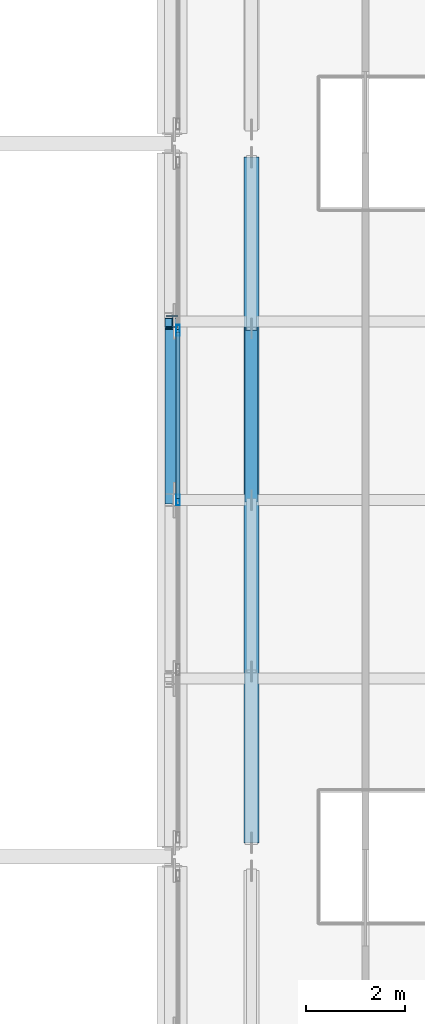
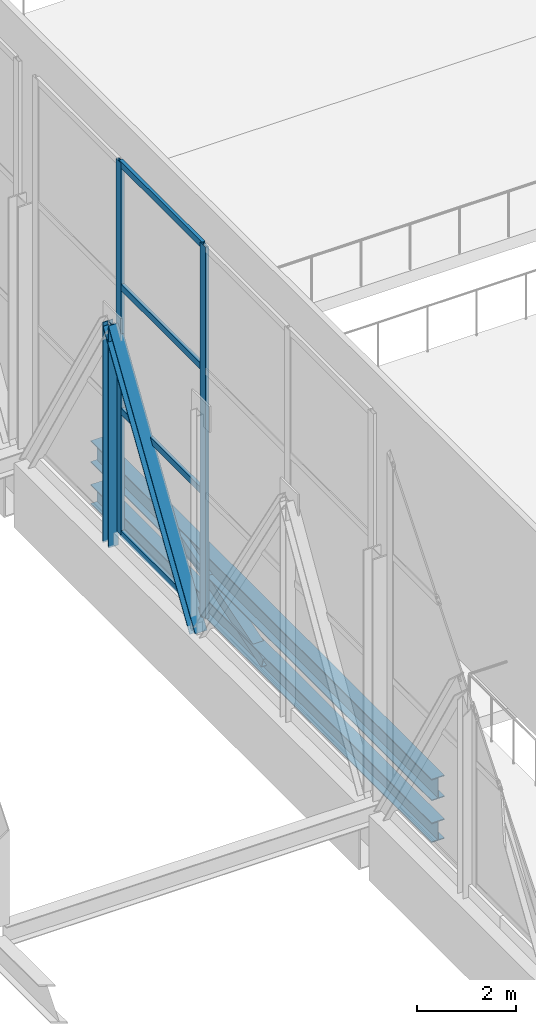
# One storey, part 35 of 191: 9 members, 2 beams, 1 element without a shape of its own.
"""IFC4 building model written with IfcOpenShell, lengths in metres."""

from ifc_helpers import new_model, si_unit, direction, frame, origin, origin_2d, place, context, subcontext, project, spatial, hollow_rectangle, i_section, extrude, material, layer, layer_set, material_profile, profile_set, type_object, element, aggregate, save


model = new_model("IFC4")

# Units and contexts
model_context = context("Model", 3, precision=1e-05, world=origin(), true_north=direction((0.0, 1.0)))
body_context = subcontext(model_context, "Body", "Model", "MODEL_VIEW")
ifc_project = project(units=[si_unit("LENGTHUNIT", "METRE"), si_unit("AREAUNIT", "SQUARE_METRE"), si_unit("VOLUMEUNIT", "CUBIC_METRE"), si_unit("PLANEANGLEUNIT", "RADIAN"), si_unit("MASSUNIT", "GRAM", prefix="KILO")], contexts=[model_context])

# Site, building, storey
site_placement = place(None, origin())
site = spatial("IfcSite", under=ifc_project, at=site_placement, CompositionType="ELEMENT")
building_placement = place(site_placement, origin())
building = spatial("IfcBuilding", under=site, at=building_placement, Name="Tamarisk Ironworks Central Station", CompositionType="ELEMENT")
storey_placement = place(building_placement, frame((0.0, 0.0, 6.60009765625)))
storey = spatial("IfcBuildingStorey", under=building, at=storey_placement, Name="L01", CompositionType="ELEMENT", Elevation=6.60009765625)

# Beams
ifc_material_1 = material(Name="Structural steel S355J2", Category="steel")
ifc_material_profile_1 = material_profile(ifc_material_1, i_section(OverallWidth=0.300048828125, OverallDepth=0.5400390625, WebThickness=0.012451171875, FlangeThickness=0.02392578125, at=origin_2d()), Name="HEA 550")
ifc_profile_set_1 = profile_set([ifc_material_profile_1], Name="Structural steel S355J2")
beam_type_1 = type_object("IfcBeamType", Name="BM-G04", PredefinedType="BEAM", material=ifc_profile_set_1)
beam_1_placement = place(storey_placement, frame((55.60009765625, 36.280029296875, -0.580078125), z_axis=(0.0, 1.0, 0.0), x_axis=(-1.0, 0.0, 0.0)))
element("IfcBeam", 1, at=beam_1_placement, inside=storey, type_object=beam_type_1, Name="Bridge deck transfer stiffening chord 120", PredefinedType="BEAM", context=body_context, shape_type="SweptSolid", body=[
    extrude(i_section(OverallWidth=0.300048828125, OverallDepth=0.5400390625, WebThickness=0.012451171875, FlangeThickness=0.02392578125, at=origin_2d()), origin(), (0.0, 0.0, 1.0), 13.840087890625),
])
ifc_material_profile_2 = material_profile(ifc_material_1, i_section(OverallWidth=0.300048828125, OverallDepth=0.489990234375, WebThickness=0.011962890625, FlangeThickness=0.02294921875, at=origin_2d()), Name="HEA 500")
ifc_profile_set_2 = profile_set([ifc_material_profile_2], Name="Structural steel S355J2")
beam_type_2 = type_object("IfcBeamType", Name="BM-G05", PredefinedType="BEAM", material=ifc_profile_set_2)
beam_2_placement = place(storey_placement, frame((55.60009765625, 36.280029296875, -1.64013671875), z_axis=(0.0, 1.0, 0.0), x_axis=(-1.0, 0.0, 0.0)))
element("IfcBeam", 2, at=beam_2_placement, inside=storey, type_object=beam_type_2, Name="Bridge deck transfer stiffening chord 119", PredefinedType="BEAM", context=body_context, shape_type="SweptSolid", body=[
    extrude(i_section(OverallWidth=0.300048828125, OverallDepth=0.489990234375, WebThickness=0.011962890625, FlangeThickness=0.02294921875, at=origin_2d()), origin(), (0.0, 0.0, 1.0), 13.840087890625),
])

# Curtain wall, members
ifc_material_2 = material(Name="Anodized aluminium alloy 6063-T6", Category="aluminium")
ifc_layer = layer(ifc_material_2, 0.179931640625)
ifc_layer_set = layer_set([ifc_layer], Name="Anodized aluminium alloy 6063-T6")
curtain_wall_type = type_object("IfcCurtainWallType", Name="CW-06", PredefinedType="USERDEFINED", material=ifc_layer_set)
curtain_wall_placement = place(storey_placement, origin())
curtain_wall = element("IfcCurtainWall", 3, at=curtain_wall_placement, inside=storey, type_object=curtain_wall_type, Name="Concourse W track-overlook curtain wall 03", ObjectType="GLAZED CURTAIN WALL", PredefinedType="USERDEFINED")
ifc_material_profile_3 = material_profile(ifc_material_2, hollow_rectangle(XDim=0.074951171875, YDim=0.219970703125, WallThickness=0.00390625, at=origin_2d()), Name="ALUM 220x75")
ifc_profile_set_3 = profile_set([ifc_material_profile_3], Name="Anodized aluminium alloy 6063-T6")
member_type_1 = type_object("IfcMemberType", Name="CWM-01", PredefinedType="MULLION", material=ifc_profile_set_3)
member_1_placement = place(storey_placement, frame((54.1201171875, 43.199951171875, 0.0), z_axis=(0.0, 0.0, 1.0), x_axis=(-1.0, 0.0, 0.0)))
member_1 = element("IfcMember", 4, at=member_1_placement, type_object=member_type_1, Name="CW06 mullion 3", PredefinedType="MULLION", context=body_context, shape_type="SweptSolid", body=[
    extrude(hollow_rectangle(XDim=0.074951171875, YDim=0.219970703125, WallThickness=0.00390625, at=origin_2d()), origin(), (0.0, 0.0, 1.0), 9.219970703125),
])
member_2_placement = place(storey_placement, frame((54.1201171875, 46.625, 0.0), z_axis=(0.0, 0.0, 1.0), x_axis=(-1.0, 0.0, 0.0)))
member_2 = element("IfcMember", 5, at=member_2_placement, type_object=member_type_1, Name="CW06 mullion 4", PredefinedType="MULLION", context=body_context, shape_type="SweptSolid", body=[
    extrude(hollow_rectangle(XDim=0.074951171875, YDim=0.219970703125, WallThickness=0.00390625, at=origin_2d()), origin(), (0.0, 0.0, 1.0), 9.219970703125),
])
ifc_material_profile_4 = material_profile(ifc_material_2, hollow_rectangle(XDim=0.074951171875, YDim=0.159912109375, WallThickness=0.00390625, at=origin_2d()), Name="ALUM 160x75")
ifc_profile_set_4 = profile_set([ifc_material_profile_4], Name="Anodized aluminium alloy 6063-T6")
member_type_2 = type_object("IfcMemberType", Name="CWT-01", PredefinedType="USERDEFINED", material=ifc_profile_set_4)
member_3_placement = place(storey_placement, frame((54.1201171875, 43.2333984375, 0.037353515625), z_axis=(0.0, 1.0, 0.0), x_axis=(-1.0, 0.0, 0.0)))
member_3 = element("IfcMember", 6, at=member_3_placement, type_object=member_type_2, Name="CW06 transom 3.1", ObjectType="TRANSOM", PredefinedType="USERDEFINED", context=body_context, shape_type="SweptSolid", body=[
    extrude(hollow_rectangle(XDim=0.074951171875, YDim=0.159912109375, WallThickness=0.00390625, at=origin_2d()), origin(), (0.0, 0.0, 1.0), 3.358154296875),
])
member_4_placement = place(storey_placement, frame((54.1201171875, 43.2333984375, 3.0732421875), z_axis=(0.0, 1.0, 0.0), x_axis=(-1.0, 0.0, 0.0)))
member_4 = element("IfcMember", 7, at=member_4_placement, type_object=member_type_2, Name="CW06 transom 3.2", ObjectType="TRANSOM", PredefinedType="USERDEFINED", context=body_context, shape_type="SweptSolid", body=[
    extrude(hollow_rectangle(XDim=0.074951171875, YDim=0.159912109375, WallThickness=0.00390625, at=origin_2d()), origin(), (0.0, 0.0, 1.0), 3.358154296875),
])
member_5_placement = place(storey_placement, frame((54.1201171875, 43.2333984375, 6.146484375), z_axis=(0.0, 1.0, 0.0), x_axis=(-1.0, 0.0, 0.0)))
member_5 = element("IfcMember", 8, at=member_5_placement, type_object=member_type_2, Name="CW06 transom 3.3", ObjectType="TRANSOM", PredefinedType="USERDEFINED", context=body_context, shape_type="SweptSolid", body=[
    extrude(hollow_rectangle(XDim=0.074951171875, YDim=0.159912109375, WallThickness=0.00390625, at=origin_2d()), origin(), (0.0, 0.0, 1.0), 3.358154296875),
])
member_6_placement = place(storey_placement, frame((54.1201171875, 43.2333984375, 9.182373046875), z_axis=(0.0, 1.0, 0.0), x_axis=(-1.0, 0.0, 0.0)))
member_6 = element("IfcMember", 9, at=member_6_placement, type_object=member_type_2, Name="CW06 transom 3.4", ObjectType="TRANSOM", PredefinedType="USERDEFINED", context=body_context, shape_type="SweptSolid", body=[
    extrude(hollow_rectangle(XDim=0.074951171875, YDim=0.159912109375, WallThickness=0.00390625, at=origin_2d()), origin(), (0.0, 0.0, 1.0), 3.358154296875),
])
aggregate(curtain_wall, [member_1, member_2, member_3, member_4, member_5, member_6])

# Members
ifc_material_3 = material(Name="Structural steel S355J2H", Category="steel")
ifc_material_profile_5 = material_profile(ifc_material_3, hollow_rectangle(XDim=0.25, YDim=0.25, WallThickness=0.012451171875, at=origin_2d()), Name="SHS 250x250x12.5")
ifc_profile_set_5 = profile_set([ifc_material_profile_5], Name="Structural steel S355J2H")
member_type_3 = type_object("IfcMemberType", Name="MB-BR01", PredefinedType="BRACE", material=ifc_profile_set_5)
member_7_placement = place(storey_placement, frame((55.60009765625, 43.199951171875, -1.64013671875), z_axis=(0.0, 0.956131332595, 0.292938346467), x_axis=(-1.0, 0.0, 0.0)))
element("IfcMember", 10, at=member_7_placement, inside=storey, type_object=member_type_3, Name="Bridge deck stiffening web brace 123", PredefinedType="BRACE", context=body_context, shape_type="SweptSolid", body=[
    extrude(hollow_rectangle(XDim=0.25, YDim=0.25, WallThickness=0.012451171875, at=origin_2d()), origin(), (0.0, 0.0, 1.0), 3.61865234375),
])
ifc_material_profile_6 = material_profile(ifc_material_1, i_section(OverallWidth=0.280029296875, OverallDepth=0.280029296875, WebThickness=0.010498046875, FlangeThickness=0.01806640625, at=origin_2d()), Name="HEB 280")
ifc_profile_set_6 = profile_set([ifc_material_profile_6], Name="Structural steel S355J2")
member_type_4 = type_object("IfcMemberType", Name="MB-TTD02", PredefinedType="BRACE", material=ifc_profile_set_6)
member_8_placement = place(storey_placement, frame((54.0, 43.239990234375, -0.380126953125), z_axis=(0.0, 0.539055818311, 0.842270042649), x_axis=(-1.0, 0.0, 0.0)))
element("IfcMember", 11, at=member_8_placement, inside=storey, type_object=member_type_4, Name="Transfer truss diagonal 011", PredefinedType="BRACE", context=body_context, shape_type="SweptSolid", body=[
    extrude(i_section(OverallWidth=0.280029296875, OverallDepth=0.280029296875, WebThickness=0.010498046875, FlangeThickness=0.01806640625, at=origin_2d()), origin(), (0.0, 0.0, 1.0), 6.530029296875),
])
ifc_material_profile_7 = material_profile(ifc_material_1, i_section(OverallWidth=0.239990234375, OverallDepth=0.239990234375, WebThickness=0.010009765625, FlangeThickness=0.01708984375, at=origin_2d()), Name="HEB 240")
ifc_profile_set_7 = profile_set([ifc_material_profile_7], Name="Structural steel S355J2")
member_type_5 = type_object("IfcMemberType", Name="MB-TTP02", PredefinedType="POST", material=ifc_profile_set_7)
member_9_placement = place(storey_placement, frame((54.0, 46.800048828125, -0.340087890625), z_axis=(0.0, 0.0, 1.0), x_axis=(1.0, 0.0, 0.0)))
element("IfcMember", 12, at=member_9_placement, inside=storey, type_object=member_type_5, Name="Transfer truss vertical post 014", PredefinedType="POST", context=body_context, shape_type="SweptSolid", body=[
    extrude(i_section(OverallWidth=0.239990234375, OverallDepth=0.239990234375, WebThickness=0.010009765625, FlangeThickness=0.01708984375, at=origin_2d()), origin(), (0.0, 0.0, 1.0), 5.4599609375),
])

save(model, "model.ifc")
